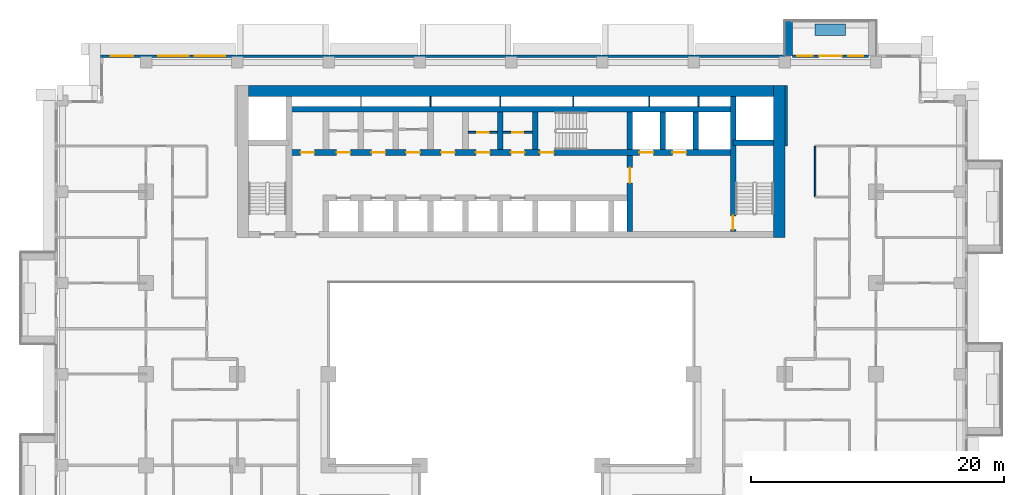
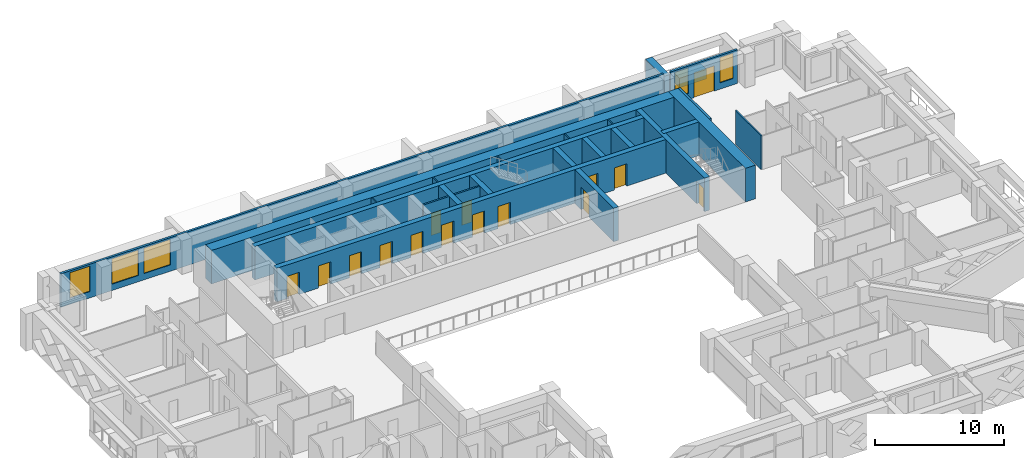
# One storey, part 11 of 17: 25 walls, 15 doors, 5 windows, 20 openings.
"""IFC4 building model written with IfcOpenShell, lengths in metres."""

from ifc_helpers import new_model, si_unit, direction, frame, frame_2d, origin, place, context, subcontext, project, spatial, rectangle, extrude, material, layer, layer_set, type_object, element, fill, save


model = new_model("IFC4")

# Units and contexts
model_context = context("Model", 3, precision=1e-05, world=origin(), true_north=direction((0.0, 1.0)))
body_context = subcontext(model_context, "Body", "Model", "MODEL_VIEW")
ifc_project = project(units=[si_unit("LENGTHUNIT", "METRE"), si_unit("AREAUNIT", "SQUARE_METRE"), si_unit("VOLUMEUNIT", "CUBIC_METRE"), si_unit("PLANEANGLEUNIT", "RADIAN"), si_unit("MASSUNIT", "GRAM", prefix="KILO")], contexts=[model_context])

# Site, building, storey
site_placement = place(None, origin())
site = spatial("IfcSite", under=ifc_project, at=site_placement, CompositionType="ELEMENT")
building_placement = place(site_placement, origin())
building = spatial("IfcBuilding", under=site, at=building_placement, Name="Saffron Iwan Residences", CompositionType="ELEMENT")
storey_placement = place(building_placement, frame((0.0, 0.0, 93.5)))
storey = spatial("IfcBuildingStorey", under=building, at=storey_placement, Name="L24", CompositionType="ELEMENT", Elevation=93.5)

# Walls
ifc_material_1 = material(Name="Concrete C50/60 white painted", Category="concrete")
ifc_layer_1 = layer(ifc_material_1, 0.60009765625)
ifc_layer_set_1 = layer_set([ifc_layer_1], Name="Concrete C50/60 white painted")
wall_type_1 = type_object("IfcWallType", Name="BALCONY FIN 600", PredefinedType="SOLIDWALL", material=ifc_layer_set_1)
wall_1_placement = place(storey_placement, frame((72.300048828125, 80.35009765625, 0.0), z_axis=(0.0, 0.0, 1.0), x_axis=(0.0, 1.0, 0.0)))
element("IfcWall", 1, at=wall_1_placement, inside=storey, type_object=wall_type_1, Name="Balcony fin L24 F5-0b", PredefinedType="SOLIDWALL", context=body_context, shape_type="SweptSolid", body=[
    extrude(rectangle(XDim=2.75, YDim=0.60009765625, at=frame_2d((1.375, 0.0))), origin(), (0.0, 0.0, 1.0), 2.85009765625),
])
ifc_material_2 = material(Name="Concrete C35/45 white painted", Category="concrete")
ifc_layer_2 = layer(ifc_material_2, 0.14990234375)
ifc_layer_set_2 = layer_set([ifc_layer_2], Name="Concrete C35/45 white painted")
wall_type_2 = type_object("IfcWallType", Name="BALCONY PLANTER", PredefinedType="SOLIDWALL", material=ifc_layer_set_2)
wall_2_placement = place(storey_placement, frame((76.800048828125, 82.375, 0.0), z_axis=(0.0, 0.0, 1.0), x_axis=(-1.0, 0.0, 0.0)))
element("IfcWall", 2, at=wall_2_placement, inside=storey, type_object=wall_type_2, Name="PLANTER L24 F5-0", PredefinedType="SOLIDWALL", context=body_context, shape_type="SweptSolid", body=[
    extrude(rectangle(XDim=2.400146484375, YDim=0.89990234375, at=frame_2d((1.2001953125, 0.0))), origin(), (0.0, 0.0, 1.0), 0.89990234375),
])

# Wall, opening, door
ifc_material_3 = material(Name="Fire-rated plasterboard partition")
ifc_layer_3 = layer(ifc_material_3, 0.14990234375)
ifc_layer_set_3 = layer_set([ifc_layer_3], Name="Fire-rated plasterboard partition")
wall_type_3 = type_object("IfcWallType", Name="Core partition 150", PredefinedType="PARTITIONING", material=ifc_layer_set_3)
wall_3_placement = place(storey_placement, frame((47.02490234375, 74.281982421875, 0.0), z_axis=(0.0, 0.0, 1.0), x_axis=(1.0, 0.0, 0.0)))
wall_3 = element("IfcWall", 3, at=wall_3_placement, inside=storey, type_object=wall_type_3, Name="Core partition P04", PredefinedType="PARTITIONING", context=body_context, shape_type="SweptSolid", body=[
    extrude(rectangle(XDim=2.300048828125, YDim=0.14990234375, at=frame_2d((1.14990234375, 0.0))), origin(), (0.0, 0.0, 1.0), 3.179931640625),
])
opening_1_placement = place(wall_3_placement, frame((0.699951171875, 0.0, 0.0)))
opening_1 = element("IfcOpeningElement", 4, at=opening_1_placement, cuts=wall_3, Name="Opening SB", PredefinedType="OPENING", context=body_context, shape_type="SweptSolid", body=[
    extrude(rectangle(XDim=0.89990234375, YDim=2.10009765625, at=frame_2d((0.449951171875, 1.050048828125))), frame((0.0, 0.0849609375, 0.0), z_axis=(0.0, -1.0, 0.0), x_axis=(1.0, 0.0, 0.0)), (0.0, 0.0, 1.0), 0.169921875),
])
ifc_material_4 = material(Name="Steel fire door", Category="steel")
door_type_1 = type_object("IfcDoorType", Name="Store door 900", OperationType="NOTDEFINED", PredefinedType="DOOR", material=ifc_material_4)
door_1_placement = place(opening_1_placement, origin())
door_1 = element("IfcDoor", 5, at=door_1_placement, inside=storey, type_object=door_type_1, Name="Door Tool store", OperationType="SINGLE_SWING_LEFT", OverallHeight=2.10009765625, OverallWidth=0.89990234375, PredefinedType="DOOR", context=body_context, shape_type="SweptSolid", body=[
    extrude(rectangle(XDim=0.89990234375, YDim=2.10009765625, at=frame_2d((0.449951171875, 1.050048828125))), frame((0.0, 0.02490234375, 0.0), z_axis=(0.0, -1.0, 0.0), x_axis=(1.0, 0.0, 0.0)), (0.0, 0.0, 1.0), 0.050048828125),
])
fill(opening_1, door_1)

wall_4_placement = place(storey_placement, frame((49.77490234375, 74.281982421875, 0.0), z_axis=(0.0, 0.0, 1.0), x_axis=(1.0, 0.0, 0.0)))
wall_4 = element("IfcWall", 6, at=wall_4_placement, inside=storey, type_object=wall_type_3, Name="Core partition P05", PredefinedType="PARTITIONING", context=body_context, shape_type="SweptSolid", body=[
    extrude(rectangle(XDim=2.300048828125, YDim=0.14990234375, at=frame_2d((1.14990234375, 0.0))), origin(), (0.0, 0.0, 1.0), 3.179931640625),
])
opening_2_placement = place(wall_4_placement, frame((0.699951171875, 0.0, 0.0)))
opening_2 = element("IfcOpeningElement", 7, at=opening_2_placement, cuts=wall_4, Name="Opening SB", PredefinedType="OPENING", context=body_context, shape_type="SweptSolid", body=[
    extrude(rectangle(XDim=0.89990234375, YDim=2.10009765625, at=frame_2d((0.449951171875, 1.050048828125))), frame((0.0, 0.0849609375, 0.0), z_axis=(0.0, -1.0, 0.0), x_axis=(1.0, 0.0, 0.0)), (0.0, 0.0, 1.0), 0.169921875),
])
door_2_placement = place(opening_2_placement, origin())
door_2 = element("IfcDoor", 8, at=door_2_placement, inside=storey, type_object=door_type_1, Name="Door Cabling room", OperationType="SINGLE_SWING_RIGHT", OverallHeight=2.10009765625, OverallWidth=0.89990234375, PredefinedType="DOOR", context=body_context, shape_type="SweptSolid", body=[
    extrude(rectangle(XDim=0.89990234375, YDim=2.10009765625, at=frame_2d((0.449951171875, 1.050048828125))), frame((0.0, 0.02490234375, 0.0), z_axis=(0.0, -1.0, 0.0), x_axis=(1.0, 0.0, 0.0)), (0.0, 0.0, 1.0), 0.050048828125),
])
fill(opening_2, door_2)

# Wall, openings, door, windows
ifc_material_5 = material(Name="Concrete C40/50", Category="concrete")
ifc_layer_4 = layer(ifc_material_5, 0.199951171875)
ifc_layer_set_4 = layer_set([ifc_layer_4], Name="Concrete C40/50")
wall_type_4 = type_object("IfcWallType", Name="EXTERNAL WALL 200", PredefinedType="SOLIDWALL", material=ifc_layer_set_4)
wall_5_placement = place(storey_placement, frame((78.60009765625, 80.300048828125, 0.0), z_axis=(0.0, 0.0, 1.0), x_axis=(-1.0, 0.0, 0.0)))
wall_5 = element("IfcWall", 9, at=wall_5_placement, inside=storey, type_object=wall_type_4, Name="External wall L24 F5.1", PredefinedType="SOLIDWALL", context=body_context, shape_type="SweptSolid", body=[
    extrude(rectangle(XDim=6.0, YDim=0.199951171875, at=frame_2d((3.0, 0.0))), origin(), (0.0, 0.0, 1.0), 3.179931640625),
])
opening_3_placement = place(wall_5_placement, frame((2.10009765625, 0.0, 0.0)))
opening_3 = element("IfcOpeningElement", 10, at=opening_3_placement, cuts=wall_5, Name="Opening BD1", PredefinedType="OPENING", context=body_context, shape_type="SweptSolid", body=[
    extrude(rectangle(XDim=1.800048828125, YDim=2.39990234375, at=frame_2d((0.89990234375, 1.199951171875))), frame((0.0, 0.10986328125, 0.0), z_axis=(0.0, -1.0, 0.0), x_axis=(1.0, 0.0, 0.0)), (0.0, 0.0, 1.0), 0.219970703125),
])
opening_4_placement = place(wall_5_placement, frame((0.39990234375, 0.0, 0.60009765625)))
opening_4 = element("IfcOpeningElement", 11, at=opening_4_placement, cuts=wall_5, Name="Opening W3", PredefinedType="OPENING", context=body_context, shape_type="SweptSolid", body=[
    extrude(rectangle(XDim=1.199951171875, YDim=2.39990234375, at=frame_2d((0.60009765625, 1.199951171875))), frame((0.0, 0.10986328125, 0.0), z_axis=(0.0, -1.0, 0.0), x_axis=(1.0, 0.0, 0.0)), (0.0, 0.0, 1.0), 0.219970703125),
])
opening_5_placement = place(wall_5_placement, frame((4.39990234375, 0.0, 0.60009765625)))
opening_5 = element("IfcOpeningElement", 12, at=opening_5_placement, cuts=wall_5, Name="Opening W3", PredefinedType="OPENING", context=body_context, shape_type="SweptSolid", body=[
    extrude(rectangle(XDim=1.199951171875, YDim=2.39990234375, at=frame_2d((0.60009765625, 1.199951171875))), frame((0.0, 0.10986328125, 0.0), z_axis=(0.0, -1.0, 0.0), x_axis=(1.0, 0.0, 0.0)), (0.0, 0.0, 1.0), 0.219970703125),
])
ifc_material_6 = material(Name="Clear glass, laminated double glazed", Category="glass")
door_type_2 = type_object("IfcDoorType", Name="BALCONY DOOR 1800 x 2400", OperationType="DOUBLE_DOOR_SLIDING", PredefinedType="DOOR", material=ifc_material_6)
door_3_placement = place(opening_3_placement, origin())
door_3 = element("IfcDoor", 13, at=door_3_placement, inside=storey, type_object=door_type_2, Name="Balcony door L24 F5.0", OperationType="DOUBLE_DOOR_SLIDING", OverallHeight=2.39990234375, OverallWidth=1.800048828125, PredefinedType="DOOR", context=body_context, shape_type="SweptSolid", body=[
    extrude(rectangle(XDim=1.800048828125, YDim=2.39990234375, at=frame_2d((0.89990234375, 1.199951171875))), frame((0.0, 0.02490234375, 0.0), z_axis=(0.0, -1.0, 0.0), x_axis=(1.0, 0.0, 0.0)), (0.0, 0.0, 1.0), 0.050048828125),
])
fill(opening_3, door_3)
window_type_1 = type_object("IfcWindowType", Name="WINDOW 1200 x 2400", PartitioningType="SINGLE_PANEL", PredefinedType="WINDOW", material=ifc_material_6)
window_1_placement = place(opening_4_placement, origin())
window_1 = element("IfcWindow", 14, at=window_1_placement, inside=storey, type_object=window_type_1, Name="Window L24 F5.1", OverallHeight=2.39990234375, OverallWidth=1.199951171875, PartitioningType="SINGLE_PANEL", PredefinedType="WINDOW", context=body_context, shape_type="SweptSolid", body=[
    extrude(rectangle(XDim=1.199951171875, YDim=2.39990234375, at=frame_2d((0.60009765625, 1.199951171875))), frame((0.0, 0.030029296875, 0.0), z_axis=(0.0, -1.0, 0.0), x_axis=(1.0, 0.0, 0.0)), (0.0, 0.0, 1.0), 0.06005859375),
])
fill(opening_4, window_1)
window_2_placement = place(opening_5_placement, origin())
window_2 = element("IfcWindow", 15, at=window_2_placement, inside=storey, type_object=window_type_1, Name="Window L24 F5.2", OverallHeight=2.39990234375, OverallWidth=1.199951171875, PartitioningType="SINGLE_PANEL", PredefinedType="WINDOW", context=body_context, shape_type="SweptSolid", body=[
    extrude(rectangle(XDim=1.199951171875, YDim=2.39990234375, at=frame_2d((0.60009765625, 1.199951171875))), frame((0.0, 0.030029296875, 0.0), z_axis=(0.0, -1.0, 0.0), x_axis=(1.0, 0.0, 0.0)), (0.0, 0.0, 1.0), 0.06005859375),
])
fill(opening_5, window_2)

# Wall, openings, windows
wall_6_placement = place(storey_placement, frame((72.0, 80.300048828125, 0.0), z_axis=(0.0, 0.0, 1.0), x_axis=(-1.0, 0.0, 0.0)))
wall_6 = element("IfcWall", 16, at=wall_6_placement, inside=storey, type_object=wall_type_4, Name="External wall L24 F5.2", PredefinedType="SOLIDWALL", context=body_context, shape_type="SweptSolid", body=[
    extrude(rectangle(XDim=54.0, YDim=0.199951171875, at=frame_2d((27.0, 0.0))), origin(), (0.0, 0.0, 1.0), 3.179931640625),
])
opening_6_placement = place(wall_6_placement, frame((44.166748046875, 0.0, 0.60009765625)))
opening_6 = element("IfcOpeningElement", 17, at=opening_6_placement, cuts=wall_6, Name="Opening W1", PredefinedType="OPENING", context=body_context, shape_type="SweptSolid", body=[
    extrude(rectangle(XDim=2.39990234375, YDim=2.39990234375, at=frame_2d((1.199951171875, 1.199951171875))), frame((0.0, 0.10986328125, 0.0), z_axis=(0.0, -1.0, 0.0), x_axis=(1.0, 0.0, 0.0)), (0.0, 0.0, 1.0), 0.219970703125),
])
opening_7_placement = place(wall_6_placement, frame((47.033203125, 0.0, 0.60009765625)))
opening_7 = element("IfcOpeningElement", 18, at=opening_7_placement, cuts=wall_6, Name="Opening W1", PredefinedType="OPENING", context=body_context, shape_type="SweptSolid", body=[
    extrude(rectangle(XDim=2.39990234375, YDim=2.39990234375, at=frame_2d((1.199951171875, 1.199951171875))), frame((0.0, 0.10986328125, 0.0), z_axis=(0.0, -1.0, 0.0), x_axis=(1.0, 0.0, 0.0)), (0.0, 0.0, 1.0), 0.219970703125),
])
opening_8_placement = place(wall_6_placement, frame((51.39990234375, 0.0, 0.60009765625)))
opening_8 = element("IfcOpeningElement", 19, at=opening_8_placement, cuts=wall_6, Name="Opening W8", PredefinedType="OPENING", context=body_context, shape_type="SweptSolid", body=[
    extrude(rectangle(XDim=1.800048828125, YDim=2.39990234375, at=frame_2d((0.89990234375, 1.199951171875))), frame((0.0, 0.10986328125, 0.0), z_axis=(0.0, -1.0, 0.0), x_axis=(1.0, 0.0, 0.0)), (0.0, 0.0, 1.0), 0.219970703125),
])
window_type_2 = type_object("IfcWindowType", Name="WINDOW 1800 x 2400", PartitioningType="DOUBLE_PANEL_VERTICAL", PredefinedType="WINDOW", material=ifc_material_6)
window_3_placement = place(opening_8_placement, origin())
window_3 = element("IfcWindow", 20, at=window_3_placement, inside=storey, type_object=window_type_2, Name="Window L24 F5.2", OverallHeight=2.39990234375, OverallWidth=1.800048828125, PartitioningType="DOUBLE_PANEL_VERTICAL", PredefinedType="WINDOW", context=body_context, shape_type="SweptSolid", body=[
    extrude(rectangle(XDim=1.800048828125, YDim=2.39990234375, at=frame_2d((0.89990234375, 1.199951171875))), frame((0.0, 0.030029296875, 0.0), z_axis=(0.0, -1.0, 0.0), x_axis=(1.0, 0.0, 0.0)), (0.0, 0.0, 1.0), 0.06005859375),
])
fill(opening_8, window_3)
window_type_3 = type_object("IfcWindowType", Name="WINDOW 2400 x 2400", PartitioningType="DOUBLE_PANEL_VERTICAL", PredefinedType="WINDOW", material=ifc_material_6)
window_4_placement = place(opening_6_placement, origin())
window_4 = element("IfcWindow", 21, at=window_4_placement, inside=storey, type_object=window_type_3, Name="Window L24 F5.0", OverallHeight=2.39990234375, OverallWidth=2.39990234375, PartitioningType="DOUBLE_PANEL_VERTICAL", PredefinedType="WINDOW", context=body_context, shape_type="SweptSolid", body=[
    extrude(rectangle(XDim=2.39990234375, YDim=2.39990234375, at=frame_2d((1.199951171875, 1.199951171875))), frame((0.0, 0.030029296875, 0.0), z_axis=(0.0, -1.0, 0.0), x_axis=(1.0, 0.0, 0.0)), (0.0, 0.0, 1.0), 0.06005859375),
])
fill(opening_6, window_4)
window_5_placement = place(opening_7_placement, origin())
window_5 = element("IfcWindow", 22, at=window_5_placement, inside=storey, type_object=window_type_3, Name="Window L24 F5.1", OverallHeight=2.39990234375, OverallWidth=2.39990234375, PartitioningType="DOUBLE_PANEL_VERTICAL", PredefinedType="WINDOW", context=body_context, shape_type="SweptSolid", body=[
    extrude(rectangle(XDim=2.39990234375, YDim=2.39990234375, at=frame_2d((1.199951171875, 1.199951171875))), frame((0.0, 0.030029296875, 0.0), z_axis=(0.0, -1.0, 0.0), x_axis=(1.0, 0.0, 0.0)), (0.0, 0.0, 1.0), 0.06005859375),
])
fill(opening_7, window_5)

# Walls
ifc_material_7 = material(Name="Gypsum board partition")
ifc_layer_5 = layer(ifc_material_7, 0.1201171875)
ifc_layer_set_5 = layer_set([ifc_layer_5], Name="Gypsum board partition")
wall_type_5 = type_object("IfcWallType", Name="Flat partition 120", PredefinedType="PARTITIONING", material=ifc_layer_set_5)
wall_7_placement = place(storey_placement, frame((74.39990234375, 69.199951171875, 0.0), z_axis=(0.0, 0.0, 1.0), x_axis=(0.0, 1.0, 0.0)))
element("IfcWall", 23, at=wall_7_placement, inside=storey, type_object=wall_type_5, Name="W-L24-PART-v74.4-69.2", PredefinedType="PARTITIONING", context=body_context, shape_type="SweptSolid", body=[
    extrude(rectangle(XDim=4.0, YDim=0.1201171875, at=frame_2d((2.0, 0.0))), origin(), (0.0, 0.0, 1.0), 3.179931640625),
])
ifc_material_8 = material(Name="Fire-rated gypsum board wall")
ifc_layer_6 = layer(ifc_material_8, 0.199951171875)
ifc_layer_set_6 = layer_set([ifc_layer_6], Name="Fire-rated gypsum board wall")
wall_type_6 = type_object("IfcWallType", Name="Gallery wall 200", PredefinedType="SOLIDWALL", material=ifc_layer_set_6)
wall_8_placement = place(storey_placement, frame((72.10009765625, 73.199951171875, 0.0), z_axis=(0.0, 0.0, 1.0), x_axis=(0.0, 1.0, 0.0)))
element("IfcWall", 24, at=wall_8_placement, inside=storey, type_object=wall_type_6, Name="W-L24-CORR-v72-73.2", PredefinedType="SOLIDWALL", context=body_context, shape_type="SweptSolid", body=[
    extrude(rectangle(XDim=4.800048828125, YDim=0.199951171875, at=frame_2d((2.39990234375, 0.0))), origin(), (0.0, 0.0, 1.0), 3.179931640625),
])
ifc_layer_7 = layer(ifc_material_3, 0.10009765625)
ifc_layer_set_7 = layer_set([ifc_layer_7], Name="Fire-rated plasterboard partition")
wall_type_7 = type_object("IfcWallType", Name="Riser partition 100", PredefinedType="PARTITIONING", material=ifc_layer_set_7)
for number, where, z_axis, x_axis, name in (
    (25, (44.050048828125, 76.324951171875, 0.0), (0.0, 0.0, 1.0), (0.0, 1.0, 0.0), "Core partition P07"),
    (26, (49.550048828125, 76.324951171875, 0.0), (0.0, 0.0, 1.0), (0.0, 1.0, 0.0), "Core partition P08"),
    (27, (55.300048828125, 76.324951171875, 0.0), (0.0, 0.0, 1.0), (0.0, 1.0, 0.0), "Core partition P09"),
    (28, (61.300048828125, 76.324951171875, 0.0), (0.0, 0.0, 1.0), (0.0, 1.0, 0.0), "Core partition P10"),
    (29, (65.199951171875, 76.324951171875, 0.0), (0.0, 0.0, 1.0), (0.0, 1.0, 0.0), "Core partition P11"),
):
    element("IfcWall", number, at=place(storey_placement, frame(where, z_axis=z_axis, x_axis=x_axis)), inside=storey, type_object=wall_type_7, Name=name, PredefinedType="PARTITIONING", context=body_context, shape_type="SweptSolid", body=[
        extrude(rectangle(XDim=0.775146484375, YDim=0.10009765625, at=frame_2d((0.3876953125, 0.0))), origin(), (0.0, 0.0, 1.0), 3.179931640625),
    ])

# Wall, openings, doors
ifc_material_9 = material(Name="Concrete C60/75", Category="concrete")
ifc_layer_8 = layer(ifc_material_9, 0.449951171875)
ifc_layer_set_8 = layer_set([ifc_layer_8], Name="Concrete C60/75")
wall_type_8 = type_object("IfcWallType", Name="WALL CORE 450 C60/75 3180 HIGH", PredefinedType="SHEAR", material=ifc_layer_set_8)
wall_9_placement = place(storey_placement, frame((32.875, 72.699951171875, 0.0), z_axis=(0.0, 0.0, 1.0), x_axis=(1.0, 0.0, 0.0)))
wall_9 = element("IfcWall", 30, at=wall_9_placement, inside=storey, type_object=wall_type_8, Name="Core wall", PredefinedType="SHEAR", context=body_context, shape_type="SweptSolid", body=[
    extrude(rectangle(XDim=35.050048828125, YDim=0.449951171875, at=frame_2d((17.52490234375, 0.0))), origin(), (0.0, 0.0, 1.0), 3.179931640625),
])
opening_9_placement = place(wall_9_placement, frame((19.800048828125, 0.0, 0.0)))
opening_9 = element("IfcOpeningElement", 31, at=opening_9_placement, cuts=wall_9, Name="Opening SD", PredefinedType="OPENING", context=body_context, shape_type="SweptSolid", body=[
    extrude(rectangle(XDim=1.10009765625, YDim=2.10009765625, at=frame_2d((0.550048828125, 1.050048828125))), frame((0.0, 0.23486328125, 0.0), z_axis=(0.0, -1.0, 0.0), x_axis=(1.0, 0.0, 0.0)), (0.0, 0.0, 1.0), 0.469970703125),
])
opening_10_placement = place(wall_9_placement, frame((27.64990234375, 0.0, 0.0)))
opening_10 = element("IfcOpeningElement", 32, at=opening_10_placement, cuts=wall_9, Name="Opening LD", PredefinedType="OPENING", context=body_context, shape_type="SweptSolid", body=[
    extrude(rectangle(XDim=1.10009765625, YDim=2.10009765625, at=frame_2d((0.550048828125, 1.050048828125))), frame((0.0, 0.23486328125, 0.0), z_axis=(0.0, -1.0, 0.0), x_axis=(1.0, 0.0, 0.0)), (0.0, 0.0, 1.0), 0.469970703125),
])
opening_11_placement = place(wall_9_placement, frame((30.25, 0.0, 0.0)))
opening_11 = element("IfcOpeningElement", 33, at=opening_11_placement, cuts=wall_9, Name="Opening LD", PredefinedType="OPENING", context=body_context, shape_type="SweptSolid", body=[
    extrude(rectangle(XDim=1.10009765625, YDim=2.10009765625, at=frame_2d((0.550048828125, 1.050048828125))), frame((0.0, 0.23486328125, 0.0), z_axis=(0.0, -1.0, 0.0), x_axis=(1.0, 0.0, 0.0)), (0.0, 0.0, 1.0), 0.469970703125),
])
opening_12_placement = place(wall_9_placement, frame((3.75, 0.0, 0.0)))
opening_12 = element("IfcOpeningElement", 34, at=opening_12_placement, cuts=wall_9, Name="Opening SR", PredefinedType="OPENING", context=body_context, shape_type="SweptSolid", body=[
    extrude(rectangle(XDim=1.10009765625, YDim=2.10009765625, at=frame_2d((0.550048828125, 1.050048828125))), frame((0.0, 0.23486328125, 0.0), z_axis=(0.0, -1.0, 0.0), x_axis=(1.0, 0.0, 0.0)), (0.0, 0.0, 1.0), 0.469970703125),
])
opening_13_placement = place(wall_9_placement, frame((6.5, 0.0, 0.0)))
opening_13 = element("IfcOpeningElement", 35, at=opening_13_placement, cuts=wall_9, Name="Opening SR", PredefinedType="OPENING", context=body_context, shape_type="SweptSolid", body=[
    extrude(rectangle(XDim=1.10009765625, YDim=2.10009765625, at=frame_2d((0.550048828125, 1.050048828125))), frame((0.0, 0.23486328125, 0.0), z_axis=(0.0, -1.0, 0.0), x_axis=(1.0, 0.0, 0.0)), (0.0, 0.0, 1.0), 0.469970703125),
])
opening_14_placement = place(wall_9_placement, frame((9.25, 0.0, 0.0)))
opening_14 = element("IfcOpeningElement", 36, at=opening_14_placement, cuts=wall_9, Name="Opening SR", PredefinedType="OPENING", context=body_context, shape_type="SweptSolid", body=[
    extrude(rectangle(XDim=1.10009765625, YDim=2.10009765625, at=frame_2d((0.550048828125, 1.050048828125))), frame((0.0, 0.23486328125, 0.0), z_axis=(0.0, -1.0, 0.0), x_axis=(1.0, 0.0, 0.0)), (0.0, 0.0, 1.0), 0.469970703125),
])
opening_15_placement = place(wall_9_placement, frame((12.0, 0.0, 0.0)))
opening_15 = element("IfcOpeningElement", 37, at=opening_15_placement, cuts=wall_9, Name="Opening SR", PredefinedType="OPENING", context=body_context, shape_type="SweptSolid", body=[
    extrude(rectangle(XDim=1.10009765625, YDim=2.10009765625, at=frame_2d((0.550048828125, 1.050048828125))), frame((0.0, 0.23486328125, 0.0), z_axis=(0.0, -1.0, 0.0), x_axis=(1.0, 0.0, 0.0)), (0.0, 0.0, 1.0), 0.469970703125),
])
opening_16_placement = place(wall_9_placement, frame((14.75, 0.0, 0.0)))
opening_16 = element("IfcOpeningElement", 38, at=opening_16_placement, cuts=wall_9, Name="Opening SR", PredefinedType="OPENING", context=body_context, shape_type="SweptSolid", body=[
    extrude(rectangle(XDim=1.10009765625, YDim=2.10009765625, at=frame_2d((0.550048828125, 1.050048828125))), frame((0.0, 0.23486328125, 0.0), z_axis=(0.0, -1.0, 0.0), x_axis=(1.0, 0.0, 0.0)), (0.0, 0.0, 1.0), 0.469970703125),
])
opening_17_placement = place(wall_9_placement, frame((17.5, 0.0, 0.0)))
opening_17 = element("IfcOpeningElement", 39, at=opening_17_placement, cuts=wall_9, Name="Opening SR", PredefinedType="OPENING", context=body_context, shape_type="SweptSolid", body=[
    extrude(rectangle(XDim=1.10009765625, YDim=2.10009765625, at=frame_2d((0.550048828125, 1.050048828125))), frame((0.0, 0.23486328125, 0.0), z_axis=(0.0, -1.0, 0.0), x_axis=(1.0, 0.0, 0.0)), (0.0, 0.0, 1.0), 0.469970703125),
])
opening_18_placement = place(wall_9_placement, frame((0.91259765625, 0.0, 0.0)))
opening_18 = element("IfcOpeningElement", 40, at=opening_18_placement, cuts=wall_9, Name="Opening SR", PredefinedType="OPENING", context=body_context, shape_type="SweptSolid", body=[
    extrude(rectangle(XDim=1.10009765625, YDim=2.10009765625, at=frame_2d((0.550048828125, 1.050048828125))), frame((0.0, 0.23486328125, 0.0), z_axis=(0.0, -1.0, 0.0), x_axis=(1.0, 0.0, 0.0)), (0.0, 0.0, 1.0), 0.469970703125),
])
door_type_3 = type_object("IfcDoorType", Name="Lift landing door 1100", OperationType="SLIDING_TO_LEFT", PredefinedType="DOOR", material=ifc_material_4)
door_4_placement = place(opening_10_placement, origin())
door_4 = element("IfcDoor", 41, at=door_4_placement, inside=storey, type_object=door_type_3, Name="Landing doors FF1", OperationType="SLIDING_TO_LEFT", OverallHeight=2.10009765625, OverallWidth=1.10009765625, PredefinedType="DOOR", context=body_context, shape_type="SweptSolid", body=[
    extrude(rectangle(XDim=1.10009765625, YDim=2.10009765625, at=frame_2d((0.550048828125, 1.050048828125))), frame((0.0, 0.02490234375, 0.0), z_axis=(0.0, -1.0, 0.0), x_axis=(1.0, 0.0, 0.0)), (0.0, 0.0, 1.0), 0.050048828125),
])
fill(opening_10, door_4)
door_5_placement = place(opening_11_placement, origin())
door_5 = element("IfcDoor", 42, at=door_5_placement, inside=storey, type_object=door_type_3, Name="Landing doors FF2", OperationType="SLIDING_TO_LEFT", OverallHeight=2.10009765625, OverallWidth=1.10009765625, PredefinedType="DOOR", context=body_context, shape_type="SweptSolid", body=[
    extrude(rectangle(XDim=1.10009765625, YDim=2.10009765625, at=frame_2d((0.550048828125, 1.050048828125))), frame((0.0, 0.02490234375, 0.0), z_axis=(0.0, -1.0, 0.0), x_axis=(1.0, 0.0, 0.0)), (0.0, 0.0, 1.0), 0.050048828125),
])
fill(opening_11, door_5)
door_type_4 = type_object("IfcDoorType", Name="Service door 1100", OperationType="NOTDEFINED", PredefinedType="DOOR", material=ifc_material_4)
door_6_placement = place(opening_12_placement, origin())
door_6 = element("IfcDoor", 43, at=door_6_placement, inside=storey, type_object=door_type_4, Name="Door Pantry", OperationType="SINGLE_SWING_LEFT", OverallHeight=2.10009765625, OverallWidth=1.10009765625, PredefinedType="DOOR", context=body_context, shape_type="SweptSolid", body=[
    extrude(rectangle(XDim=1.10009765625, YDim=2.10009765625, at=frame_2d((0.550048828125, 1.050048828125))), frame((0.0, 0.02490234375, 0.0), z_axis=(0.0, -1.0, 0.0), x_axis=(1.0, 0.0, 0.0)), (0.0, 0.0, 1.0), 0.050048828125),
])
fill(opening_12, door_6)
door_7_placement = place(opening_13_placement, origin())
door_7 = element("IfcDoor", 44, at=door_7_placement, inside=storey, type_object=door_type_4, Name="Door Electrical room", OperationType="SINGLE_SWING_LEFT", OverallHeight=2.10009765625, OverallWidth=1.10009765625, PredefinedType="DOOR", context=body_context, shape_type="SweptSolid", body=[
    extrude(rectangle(XDim=1.10009765625, YDim=2.10009765625, at=frame_2d((0.550048828125, 1.050048828125))), frame((0.0, 0.02490234375, 0.0), z_axis=(0.0, -1.0, 0.0), x_axis=(1.0, 0.0, 0.0)), (0.0, 0.0, 1.0), 0.050048828125),
])
fill(opening_13, door_7)
door_8_placement = place(opening_14_placement, origin())
door_8 = element("IfcDoor", 45, at=door_8_placement, inside=storey, type_object=door_type_4, Name="Door Luggage store", OperationType="SINGLE_SWING_LEFT", OverallHeight=2.10009765625, OverallWidth=1.10009765625, PredefinedType="DOOR", context=body_context, shape_type="SweptSolid", body=[
    extrude(rectangle(XDim=1.10009765625, YDim=2.10009765625, at=frame_2d((0.550048828125, 1.050048828125))), frame((0.0, 0.02490234375, 0.0), z_axis=(0.0, -1.0, 0.0), x_axis=(1.0, 0.0, 0.0)), (0.0, 0.0, 1.0), 0.050048828125),
])
fill(opening_14, door_8)
door_9_placement = place(opening_15_placement, origin())
door_9 = element("IfcDoor", 46, at=door_9_placement, inside=storey, type_object=door_type_4, Name="Door Refuse store", OperationType="SINGLE_SWING_LEFT", OverallHeight=2.10009765625, OverallWidth=1.10009765625, PredefinedType="DOOR", context=body_context, shape_type="SweptSolid", body=[
    extrude(rectangle(XDim=1.10009765625, YDim=2.10009765625, at=frame_2d((0.550048828125, 1.050048828125))), frame((0.0, 0.02490234375, 0.0), z_axis=(0.0, -1.0, 0.0), x_axis=(1.0, 0.0, 0.0)), (0.0, 0.0, 1.0), 0.050048828125),
])
fill(opening_15, door_9)
door_10_placement = place(opening_16_placement, origin())
door_10 = element("IfcDoor", 47, at=door_10_placement, inside=storey, type_object=door_type_4, Name="Door Maintenance store", OperationType="SINGLE_SWING_LEFT", OverallHeight=2.10009765625, OverallWidth=1.10009765625, PredefinedType="DOOR", context=body_context, shape_type="SweptSolid", body=[
    extrude(rectangle(XDim=1.10009765625, YDim=2.10009765625, at=frame_2d((0.550048828125, 1.050048828125))), frame((0.0, 0.02490234375, 0.0), z_axis=(0.0, -1.0, 0.0), x_axis=(1.0, 0.0, 0.0)), (0.0, 0.0, 1.0), 0.050048828125),
])
fill(opening_16, door_10)
door_11_placement = place(opening_17_placement, origin())
door_11 = element("IfcDoor", 48, at=door_11_placement, inside=storey, type_object=door_type_4, Name="Door Linen store", OperationType="SINGLE_SWING_LEFT", OverallHeight=2.10009765625, OverallWidth=1.10009765625, PredefinedType="DOOR", context=body_context, shape_type="SweptSolid", body=[
    extrude(rectangle(XDim=1.10009765625, YDim=2.10009765625, at=frame_2d((0.550048828125, 1.050048828125))), frame((0.0, 0.02490234375, 0.0), z_axis=(0.0, -1.0, 0.0), x_axis=(1.0, 0.0, 0.0)), (0.0, 0.0, 1.0), 0.050048828125),
])
fill(opening_17, door_11)
door_12_placement = place(opening_18_placement, origin())
door_12 = element("IfcDoor", 49, at=door_12_placement, inside=storey, type_object=door_type_4, Name="Door Storage room", OperationType="SINGLE_SWING_LEFT", OverallHeight=2.10009765625, OverallWidth=1.10009765625, PredefinedType="DOOR", context=body_context, shape_type="SweptSolid", body=[
    extrude(rectangle(XDim=1.10009765625, YDim=2.10009765625, at=frame_2d((0.550048828125, 1.050048828125))), frame((0.0, 0.02490234375, 0.0), z_axis=(0.0, -1.0, 0.0), x_axis=(1.0, 0.0, 0.0)), (0.0, 0.0, 1.0), 0.050048828125),
])
fill(opening_18, door_12)
door_type_5 = type_object("IfcDoorType", Name="Stair door 1100", OperationType="NOTDEFINED", PredefinedType="DOOR", material=ifc_material_4)
door_13_placement = place(opening_9_placement, origin())
door_13 = element("IfcDoor", 50, at=door_13_placement, inside=storey, type_object=door_type_5, Name="Stair door ST-C", OperationType="SINGLE_SWING_LEFT", OverallHeight=2.10009765625, OverallWidth=1.10009765625, PredefinedType="DOOR", context=body_context, shape_type="SweptSolid", body=[
    extrude(rectangle(XDim=1.10009765625, YDim=2.10009765625, at=frame_2d((0.550048828125, 1.050048828125))), frame((0.0, 0.02490234375, 0.0), z_axis=(0.0, -1.0, 0.0), x_axis=(1.0, 0.0, 0.0)), (0.0, 0.0, 1.0), 0.050048828125),
])
fill(opening_9, door_13)

# Walls
wall_10_placement = place(storey_placement, frame((32.875, 76.10009765625, 0.0), z_axis=(0.0, 0.0, 1.0), x_axis=(1.0, 0.0, 0.0)))
element("IfcWall", 51, at=wall_10_placement, inside=storey, type_object=wall_type_8, Name="Core wall", PredefinedType="SHEAR", context=body_context, shape_type="SweptSolid", body=[
    extrude(rectangle(XDim=35.050048828125, YDim=0.449951171875, at=frame_2d((17.52490234375, 0.0))), origin(), (0.0, 0.0, 1.0), 3.179931640625),
])
wall_11_placement = place(storey_placement, frame((67.925048828125, 73.47509765625, 0.0), z_axis=(0.0, 0.0, 1.0), x_axis=(1.0, 0.0, 0.0)))
element("IfcWall", 52, at=wall_11_placement, inside=storey, type_object=wall_type_8, Name="Core wall", PredefinedType="SHEAR", context=body_context, shape_type="SweptSolid", body=[
    extrude(rectangle(XDim=3.175048828125, YDim=0.449951171875, at=frame_2d((1.58740234375, 0.0))), origin(), (0.0, 0.0, 1.0), 3.179931640625),
])

# Wall, opening, door
wall_12_placement = place(storey_placement, frame((67.925048828125, 66.449951171875, 0.0), z_axis=(0.0, 0.0, 1.0), x_axis=(0.0, 1.0, 0.0)))
wall_12 = element("IfcWall", 53, at=wall_12_placement, inside=storey, type_object=wall_type_8, Name="Core wall", PredefinedType="SHEAR", context=body_context, shape_type="SweptSolid", body=[
    extrude(rectangle(XDim=10.650146484375, YDim=0.449951171875, at=frame_2d((5.3251953125, 0.0))), origin(), (0.0, 0.0, 1.0), 3.179931640625),
])
opening_19_placement = place(wall_12_placement, frame((0.14990234375, 0.0, 0.0)))
opening_19 = element("IfcOpeningElement", 54, at=opening_19_placement, cuts=wall_12, Name="Opening SD", PredefinedType="OPENING", context=body_context, shape_type="SweptSolid", body=[
    extrude(rectangle(XDim=1.10009765625, YDim=2.10009765625, at=frame_2d((0.550048828125, 1.050048828125))), frame((0.0, 0.23486328125, 0.0), z_axis=(0.0, -1.0, 0.0), x_axis=(1.0, 0.0, 0.0)), (0.0, 0.0, 1.0), 0.469970703125),
])
door_14_placement = place(opening_19_placement, origin())
door_14 = element("IfcDoor", 55, at=door_14_placement, inside=storey, type_object=door_type_5, Name="Stair door ST-E", OperationType="SINGLE_SWING_LEFT", OverallHeight=2.10009765625, OverallWidth=1.10009765625, PredefinedType="DOOR", context=body_context, shape_type="SweptSolid", body=[
    extrude(rectangle(XDim=1.10009765625, YDim=2.10009765625, at=frame_2d((0.550048828125, 1.050048828125))), frame((0.0, 0.02490234375, 0.0), z_axis=(0.0, -1.0, 0.0), x_axis=(1.0, 0.0, 0.0)), (0.0, 0.0, 1.0), 0.050048828125),
])
fill(opening_19, door_14)

wall_13_placement = place(storey_placement, frame((59.77490234375, 66.449951171875, 0.0), z_axis=(0.0, 0.0, 1.0), x_axis=(0.0, 1.0, 0.0)))
wall_13 = element("IfcWall", 56, at=wall_13_placement, inside=storey, type_object=wall_type_8, Name="Core wall", PredefinedType="SHEAR", context=body_context, shape_type="SweptSolid", body=[
    extrude(rectangle(XDim=6.025146484375, YDim=0.449951171875, at=frame_2d((3.0126953125, 0.0))), origin(), (0.0, 0.0, 1.0), 3.179931640625),
])
opening_20_placement = place(wall_13_placement, frame((3.85009765625, 0.0, 0.0)))
opening_20 = element("IfcOpeningElement", 57, at=opening_20_placement, cuts=wall_13, Name="Opening FD", PredefinedType="OPENING", context=body_context, shape_type="SweptSolid", body=[
    extrude(rectangle(XDim=1.199951171875, YDim=2.10009765625, at=frame_2d((0.60009765625, 1.050048828125))), frame((0.0, 0.23486328125, 0.0), z_axis=(0.0, -1.0, 0.0), x_axis=(1.0, 0.0, 0.0)), (0.0, 0.0, 1.0), 0.469970703125),
])
door_type_6 = type_object("IfcDoorType", Name="Firefighting lobby door 1200", OperationType="NOTDEFINED", PredefinedType="DOOR", material=ifc_material_4)
door_15_placement = place(opening_20_placement, origin())
door_15 = element("IfcDoor", 58, at=door_15_placement, inside=storey, type_object=door_type_6, Name="Firefighting lobby door", OperationType="SINGLE_SWING_RIGHT", OverallHeight=2.10009765625, OverallWidth=1.199951171875, PredefinedType="DOOR", context=body_context, shape_type="SweptSolid", body=[
    extrude(rectangle(XDim=1.199951171875, YDim=2.10009765625, at=frame_2d((0.60009765625, 1.050048828125))), frame((0.0, 0.02490234375, 0.0), z_axis=(0.0, -1.0, 0.0), x_axis=(1.0, 0.0, 0.0)), (0.0, 0.0, 1.0), 0.050048828125),
])
fill(opening_20, door_15)

# Walls
for number, where, z_axis, x_axis, name in (
    (59, (59.77490234375, 72.925048828125, 0.0), (0.0, 0.0, 1.0), (0.0, 1.0, 0.0), "Core wall"),
    (60, (49.550048828125, 72.925048828125, 0.0), (0.0, 0.0, 1.0), (0.0, 1.0, 0.0), "Core wall"),
    (61, (52.300048828125, 72.925048828125, 0.0), (0.0, 0.0, 1.0), (0.0, 1.0, 0.0), "Core wall"),
    (62, (62.375, 72.925048828125, 0.0), (0.0, 0.0, 1.0), (0.0, 1.0, 0.0), "Core wall"),
    (63, (64.97509765625, 72.925048828125, 0.0), (0.0, 0.0, 1.0), (0.0, 1.0, 0.0), "Core wall"),
):
    element("IfcWall", number, at=place(storey_placement, frame(where, z_axis=z_axis, x_axis=x_axis)), inside=storey, type_object=wall_type_8, Name=name, PredefinedType="SHEAR", context=body_context, shape_type="SweptSolid", body=[
        extrude(rectangle(XDim=2.949951171875, YDim=0.449951171875, at=frame_2d((1.47509765625, 0.0))), origin(), (0.0, 0.0, 1.0), 3.179931640625),
    ])
ifc_layer_9 = layer(ifc_material_9, 0.89990234375)
ifc_layer_set_9 = layer_set([ifc_layer_9], Name="Concrete C60/75")
wall_type_9 = type_object("IfcWallType", Name="WALL CORE 900 C60/75 3180 HIGH", PredefinedType="SHEAR", material=ifc_layer_set_9)
wall_14_placement = place(storey_placement, frame((71.550048828125, 66.0, 0.0), z_axis=(0.0, 0.0, 1.0), x_axis=(0.0, 1.0, 0.0)))
element("IfcWall", 64, at=wall_14_placement, inside=storey, type_object=wall_type_9, Name="Core wall", PredefinedType="SHEAR", context=body_context, shape_type="SweptSolid", body=[
    extrude(rectangle(XDim=12.0, YDim=0.89990234375, at=frame_2d((6.0, 0.0))), origin(), (0.0, 0.0, 1.0), 3.179931640625),
])
wall_15_placement = place(storey_placement, frame((29.699951171875, 77.550048828125, 0.0), z_axis=(0.0, 0.0, 1.0), x_axis=(1.0, 0.0, 0.0)))
element("IfcWall", 65, at=wall_15_placement, inside=storey, type_object=wall_type_9, Name="Core wall", PredefinedType="SHEAR", context=body_context, shape_type="SweptSolid", body=[
    extrude(rectangle(XDim=41.400146484375, YDim=0.89990234375, at=frame_2d((20.7001953125, 0.0))), origin(), (0.0, 0.0, 1.0), 3.179931640625),
])

save(model, "model.ifc")
